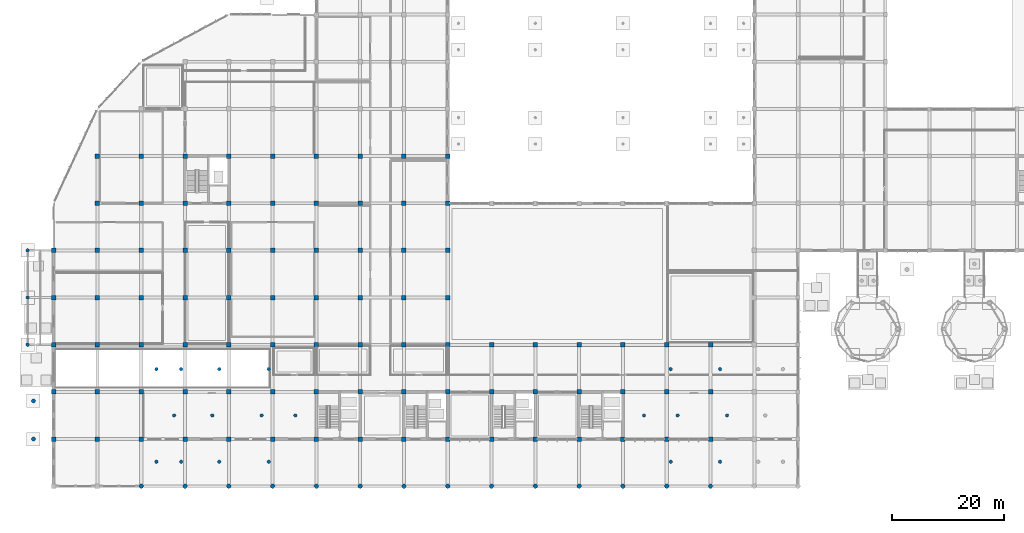
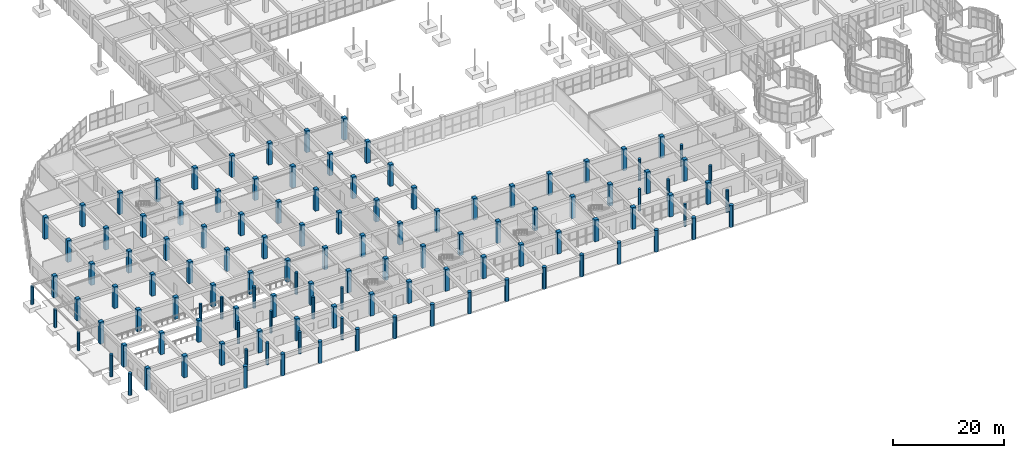
# One storey, part 2 of 139: 124 columns.
"""IFC4 building model written with IfcOpenShell, lengths in metres."""

import ifcopenshell
import ifcopenshell.guid

model = None  # the IFC model being written
_history = None  # IfcOwnerHistory: only IFC2X3 demands one
_inside = {}  # id of a spatial element -> (the spatial element, [elements in it])
_under = {}  # id of a project, library or spatial element -> (it, [spatial elements below it])
_declared = {}  # id of a project -> (the project, [libraries it declares])
_typed = {}  # id of a type object -> (the type object, [elements of that type])
_made_of = {}  # id of a material, layer set ... -> (it, [elements and type objects made of it])


def new_model(schema):
    """Start an empty IFC model of exactly this schema.

    Asked for "IFC4X3", IfcOpenShell would pick the latest addendum, in which some entities
    have other attributes; the version numbers below select the first issue.
    IFC2X3 requires an IfcOwnerHistory on every rooted entity: one is made here for all.
    """
    global model, _history
    if schema == "IFC4X3":
        model = ifcopenshell.file(schema_version=(4, 3, 0, 0))
    else:
        model = ifcopenshell.file(schema=schema)
    _inside.clear()
    _under.clear()
    _declared.clear()
    _typed.clear()
    _made_of.clear()
    _history = None
    if model.schema == "IFC2X3":
        org = make("IfcOrganization", Name="unknown")
        user = make(
            "IfcPersonAndOrganization",
            ThePerson=make("IfcPerson", FamilyName="unknown"),
            TheOrganization=org,
        )
        app = make(
            "IfcApplication",
            ApplicationDeveloper=org,
            Version="unknown",
            ApplicationFullName="unknown",
            ApplicationIdentifier="unknown",
        )
        _history = make(
            "IfcOwnerHistory",
            OwningUser=user,
            OwningApplication=app,
            ChangeAction="ADDED",
            CreationDate=0,
        )
    return model


def make(cls, **values):
    """One entity of the class cls with the attributes given. An attribute that is None is left unset."""
    return model.create_entity(
        cls, **{name: value for name, value in values.items() if value is not None}
    )


def rooted(cls, **values):
    """An entity with a GlobalId (a new one), such as an element, a storey or a relation."""
    return make(cls, GlobalId=ifcopenshell.guid.new(), OwnerHistory=_history, **values)


def si_unit(unit_type, name, prefix=None):
    """IfcSIUnit, for example si_unit("LENGTHUNIT", "METRE", prefix="MILLI")."""
    return make("IfcSIUnit", UnitType=unit_type, Prefix=prefix, Name=name)


def assignment(units):
    """IfcUnitAssignment: the units of a project."""
    return None if units is None else make("IfcUnitAssignment", Units=units)


def point(xyz):
    """IfcCartesianPoint."""
    return None if xyz is None else make("IfcCartesianPoint", Coordinates=xyz)


def direction(xyz):
    """IfcDirection."""
    return None if xyz is None else make("IfcDirection", DirectionRatios=xyz)


def frame(location, z_axis=None, x_axis=None):
    """IfcAxis2Placement3D, a coordinate frame: its origin and axes. An axis left out is left unset."""
    return make(
        "IfcAxis2Placement3D",
        Location=point(location),
        Axis=direction(z_axis),
        RefDirection=direction(x_axis),
    )


def frame_2d(location, x_axis=None):
    """IfcAxis2Placement2D, a coordinate frame in the plane: its origin and x axis."""
    return make(
        "IfcAxis2Placement2D", Location=point(location), RefDirection=direction(x_axis)
    )


def origin():
    """The frame at (0, 0, 0) with its axes left unset."""
    return frame((0.0, 0.0, 0.0))


def origin_2d():
    """The frame at (0, 0) in the plane with its x axis left unset."""
    return frame_2d((0.0, 0.0))


def place(relative_to, where):
    """IfcLocalPlacement: puts the frame where relative to a parent placement (None: the world)."""
    return make(
        "IfcLocalPlacement", PlacementRelTo=relative_to, RelativePlacement=where
    )


def context(
    kind, dimensions, precision=None, world=None, true_north=None, identifier=None
):
    """IfcGeometricRepresentationContext, for example the 3D "Model" context."""
    return make(
        "IfcGeometricRepresentationContext",
        ContextIdentifier=identifier,
        ContextType=kind,
        CoordinateSpaceDimension=dimensions,
        Precision=precision,
        WorldCoordinateSystem=world,
        TrueNorth=true_north,
    )


def subcontext(parent, identifier, kind, view, scale=None):
    """IfcGeometricRepresentationSubContext, for example "Body" below "Model"."""
    return make(
        "IfcGeometricRepresentationSubContext",
        ContextIdentifier=identifier,
        ContextType=kind,
        ParentContext=parent,
        TargetScale=scale,
        TargetView=view,
    )


def project(units=None, contexts=None):
    """IfcProject with its units and contexts."""
    return rooted(
        "IfcProject",
        Name="project",
        RepresentationContexts=contexts,
        UnitsInContext=assignment(units),
    )


def spatial(cls, under=None, at=None, **own):
    """A site, building, storey or space (cls), placed at a placement, below another one or the project."""
    s = rooted(cls, ObjectPlacement=at, **own)
    if under is not None:
        _under.setdefault(under.id(), (under, []))[1].append(s)
    return s


def profile(cls, at=None, kind="AREA", **sizes):
    """A parametric profile (cls). Its sizes go by their IFC names, for example OverallWidth=200.0."""
    return make(cls, ProfileType=kind, Position=at, **sizes)


def rectangle(**sizes):
    """IfcRectangleProfileDef."""
    return profile("IfcRectangleProfileDef", **sizes)


def circle(**sizes):
    """IfcCircleProfileDef."""
    return profile("IfcCircleProfileDef", **sizes)


def extrude(swept, where, along, depth):
    """IfcExtrudedAreaSolid: the profile swept, set in the frame where, extruded along a direction by depth."""
    return make(
        "IfcExtrudedAreaSolid",
        SweptArea=swept,
        Position=where,
        ExtrudedDirection=direction(along),
        Depth=depth,
    )


def shape(context_of_items, identifier, shape_type, items):
    """IfcShapeRepresentation: the items that make up one representation, for example the "Body"."""
    return make(
        "IfcShapeRepresentation",
        ContextOfItems=context_of_items,
        RepresentationIdentifier=identifier,
        RepresentationType=shape_type,
        Items=items,
    )


def material(Name=None, Category=None):
    """IfcMaterial."""
    return make("IfcMaterial", Name=Name, Category=Category)


def material_profile(
    of_material, cross_section, Name=None, Category=None, Priority=None
):
    """IfcMaterialProfile: a cross section and its material."""
    return make(
        "IfcMaterialProfile",
        Name=Name,
        Material=of_material,
        Profile=cross_section,
        Priority=Priority,
        Category=Category,
    )


def profile_set(profiles, Name=None, composite=None):
    """IfcMaterialProfileSet."""
    return make(
        "IfcMaterialProfileSet",
        Name=Name,
        MaterialProfiles=profiles,
        CompositeProfile=composite,
    )


def made_of(thing, what):
    """Note that an element or type object is made of a material, layer set ...; save() writes the relation."""
    if what is not None:
        _made_of.setdefault(what.id(), (what, []))[1].append(thing)
    return thing


def type_object(cls, material=None, **own):
    """A type object (cls), such as IfcWallType, which elements share."""
    return made_of(rooted(cls, **own), material)


def element(
    cls,
    number,
    at=None,
    inside=None,
    cuts=None,
    type_object=None,
    material=None,
    context=None,
    identifier="Body",
    shape_type=None,
    held_by="IfcProductDefinitionShape",
    body=None,
    shapes=None,
    **own,
):
    """One element of the class cls, such as IfcWall. Its Tag is "e" and its number.

    at: its placement. inside: the storey or other place that contains it. cuts: it is an
    opening in that element (IfcRelVoidsElement). A single representation is given by context,
    identifier, shape_type and body (its items); several are given by shapes. held_by: the class
    of the entity that holds the representations. save() writes the other relations.
    """
    e = rooted(cls, Tag="e%d" % number, ObjectPlacement=at, **own)
    if body is not None:
        shapes = [shape(context, identifier, shape_type, body)]
    if shapes is not None:
        e.Representation = make(held_by, Representations=shapes)
    if inside is not None:
        _inside.setdefault(inside.id(), (inside, []))[1].append(e)
    if cuts is not None:
        rooted(
            "IfcRelVoidsElement", RelatingBuildingElement=cuts, RelatedOpeningElement=e
        )
    if type_object is not None:
        _typed.setdefault(type_object.id(), (type_object, []))[1].append(e)
    return made_of(e, material)


def aggregate(whole, parts):
    """IfcRelAggregates: a whole, such as a stair, and the parts it consists of."""
    return rooted("IfcRelAggregates", RelatingObject=whole, RelatedObjects=parts)


def save(model, path):
    """Write the relations noted so far, then the file.

    IfcRelAggregates (storeys below a building ...), IfcRelContainedInSpatialStructure (elements
    in a storey), IfcRelDefinesByType, IfcRelAssociatesMaterial and IfcRelDeclares: one each for
    every whole, place, type object, material and project.
    """
    for whole, parts in _under.values():
        aggregate(whole, parts)
    for where, things in _inside.values():
        rooted(
            "IfcRelContainedInSpatialStructure",
            RelatedElements=things,
            RelatingStructure=where,
        )
    for kind, things in _typed.values():
        rooted("IfcRelDefinesByType", RelatedObjects=things, RelatingType=kind)
    for what, things in _made_of.values():
        rooted("IfcRelAssociatesMaterial", RelatedObjects=things, RelatingMaterial=what)
    for by, libraries in _declared.values():
        rooted("IfcRelDeclares", RelatingContext=by, RelatedDefinitions=libraries)
    model.write(path)


model = new_model("IFC4")

# Units and contexts
model_context = context("Model", 3, precision=1e-05, world=origin(), true_north=direction((0.0, 1.0)))
body_context = subcontext(model_context, "Body", "Model", "MODEL_VIEW")
ifc_project = project(units=[si_unit("LENGTHUNIT", "METRE"), si_unit("AREAUNIT", "SQUARE_METRE"), si_unit("VOLUMEUNIT", "CUBIC_METRE"), si_unit("PLANEANGLEUNIT", "RADIAN"), si_unit("MASSUNIT", "GRAM", prefix="KILO")], contexts=[model_context])

# Site, building, storey
site_placement = place(None, origin())
site = spatial("IfcSite", under=ifc_project, at=site_placement, CompositionType="ELEMENT")
building_placement = place(site_placement, origin())
building = spatial("IfcBuilding", under=site, at=building_placement, Name="Zizhar Promenade General Hospital", CompositionType="ELEMENT")
storey_placement = place(building_placement, origin())
storey = spatial("IfcBuildingStorey", under=building, at=storey_placement, Name="L00", CompositionType="ELEMENT", Elevation=0.0)

# Columns
ifc_material_1 = material(Name="Concrete C40/50", Category="concrete")
ifc_material_profile_1 = material_profile(ifc_material_1, circle(Radius=0.300048828125, at=origin_2d()))
ifc_profile_set_1 = profile_set([ifc_material_profile_1], Name="Concrete C40/50")
column_type_1 = type_object("IfcColumnType", Name="COL-CIRC-600", PredefinedType="PILASTER", material=ifc_profile_set_1)
for number, where, z_axis, x_axis, name in (
    (1, (-4.64990234375, 25.199951171875, 0.0), (0.0, 0.0, 1.0), (1.0, 0.0, 0.0), "Ambulance Canopy Tip Column 1"),
    (2, (-4.64990234375, 33.60009765625, 0.0), (0.0, 0.0, 1.0), (1.0, 0.0, 0.0), "Ambulance Canopy Tip Column 2"),
    (3, (-4.64990234375, 42.0, 0.0), (0.0, 0.0, 1.0), (1.0, 0.0, 0.0), "Ambulance Canopy Tip Column 3"),
):
    element("IfcColumn", number, at=place(storey_placement, frame(where, z_axis=z_axis, x_axis=x_axis)), inside=storey, type_object=column_type_1, Name=name, PredefinedType="PILASTER", context=body_context, shape_type="SweptSolid", body=[
        extrude(circle(Radius=0.300048828125, at=origin_2d()), origin(), (0.0, 0.0, 1.0), 3.969970703125),
    ])
for number, where, z_axis, x_axis, name in (
    (4, (18.300048828125, 4.35009765625, 0.0), (0.0, 0.0, 1.0), (1.0, 0.0, 0.0), "Ward Terrace Interior Support Column L06-W0 (L00)"),
    (5, (18.300048828125, 20.85009765625, 0.0), (0.0, 0.0, 1.0), (1.0, 0.0, 0.0), "Ward Terrace Interior Support Column L06-W1 (L00)"),
    (6, (21.449951171875, 12.60009765625, 0.0), (0.0, 0.0, 1.0), (1.0, 0.0, 0.0), "Ward Terrace Interior Support Column L06-W2 (L00)"),
    (7, (22.699951171875, 4.35009765625, 0.0), (0.0, 0.0, 1.0), (1.0, 0.0, 0.0), "Ward Terrace Interior Support Column L07-W0 (L00)"),
    (8, (22.699951171875, 20.85009765625, 0.0), (0.0, 0.0, 1.0), (1.0, 0.0, 0.0), "Ward Terrace Interior Support Column L07-W1 (L00)"),
    (9, (28.25, 12.60009765625, 0.0), (0.0, 0.0, 1.0), (1.0, 0.0, 0.0), "Ward Terrace Interior Support Column L07-W2 (L00)"),
    (10, (119.949951171875, 12.60009765625, 0.0), (0.0, 0.0, 1.0), (1.0, 0.0, 0.0), "Ward Terrace Interior Support Column L07-E2 (L00)"),
    (11, (29.5, 4.35009765625, 0.0), (0.0, 0.0, 1.0), (1.0, 0.0, 0.0), "Ward Terrace Interior Support Column L08-W0 (L00)"),
    (12, (29.5, 20.85009765625, 0.0), (0.0, 0.0, 1.0), (1.0, 0.0, 0.0), "Ward Terrace Interior Support Column L08-W1 (L00)"),
    (13, (37.050048828125, 12.60009765625, 0.0), (0.0, 0.0, 1.0), (1.0, 0.0, 0.0), "Ward Terrace Interior Support Column L08-W2 (L00)"),
    (14, (118.699951171875, 4.35009765625, 0.0), (0.0, 0.0, 1.0), (1.0, 0.0, 0.0), "Ward Terrace Interior Support Column L08-E0 (L00)"),
    (15, (118.699951171875, 20.85009765625, 0.0), (0.0, 0.0, 1.0), (1.0, 0.0, 0.0), "Ward Terrace Interior Support Column L08-E1 (L00)"),
    (16, (111.14990234375, 12.60009765625, 0.0), (0.0, 0.0, 1.0), (1.0, 0.0, 0.0), "Ward Terrace Interior Support Column L08-E2 (L00)"),
    (17, (38.300048828125, 4.35009765625, 0.0), (0.0, 0.0, 1.0), (1.0, 0.0, 0.0), "Ward Terrace Interior Support Column L09-W0 (L00)"),
    (18, (38.300048828125, 20.85009765625, 0.0), (0.0, 0.0, 1.0), (1.0, 0.0, 0.0), "Ward Terrace Interior Support Column L09-W1 (L00)"),
    (19, (43.050048828125, 12.60009765625, 0.0), (0.0, 0.0, 1.0), (1.0, 0.0, 0.0), "Ward Terrace Interior Support Column L09-W2 (L00)"),
    (20, (109.89990234375, 4.35009765625, 0.0), (0.0, 0.0, 1.0), (1.0, 0.0, 0.0), "Ward Terrace Interior Support Column L09-E0 (L00)"),
    (21, (109.89990234375, 20.85009765625, 0.0), (0.0, 0.0, 1.0), (1.0, 0.0, 0.0), "Ward Terrace Interior Support Column L09-E1 (L00)"),
    (22, (105.14990234375, 12.60009765625, 0.0), (0.0, 0.0, 1.0), (1.0, 0.0, 0.0), "Ward Terrace Interior Support Column L09-E2 (L00)"),
):
    element("IfcColumn", number, at=place(storey_placement, frame(where, z_axis=z_axis, x_axis=x_axis)), inside=storey, type_object=column_type_1, Name=name, PredefinedType="PILASTER", context=body_context, shape_type="SweptSolid", body=[
        extrude(circle(Radius=0.300048828125, at=origin_2d()), origin(), (0.0, 0.0, 1.0), 4.800048828125),
    ])
ifc_material_2 = material(Name="Concrete C40/50", Category="concrete")
ifc_material_profile_2 = material_profile(ifc_material_2, circle(Radius=0.35009765625, at=origin_2d()))
ifc_profile_set_2 = profile_set([ifc_material_profile_2], Name="Concrete C40/50")
column_type_2 = type_object("IfcColumnType", Name="COL-CIRC-700", PredefinedType="PILASTER", material=ifc_profile_set_2)
for number, where, z_axis, x_axis, name in (
    (23, (-3.60009765625, 8.39990234375, 0.0), (0.0, 0.0, 1.0), (1.0, 0.0, 0.0), "Base Roof Colonnade Column 01 (L00)"),
    (24, (-3.60009765625, 15.199951171875, 0.0), (0.0, 0.0, 1.0), (1.0, 0.0, 0.0), "Base Roof Colonnade Column 02 (L00)"),
):
    element("IfcColumn", number, at=place(storey_placement, frame(where, z_axis=z_axis, x_axis=x_axis)), inside=storey, type_object=column_type_2, Name=name, PredefinedType="PILASTER", context=body_context, shape_type="SweptSolid", body=[
        extrude(circle(Radius=0.35009765625, at=origin_2d()), origin(), (0.0, 0.0, 1.0), 4.800048828125),
    ])
ifc_material_3 = material(Name="Concrete C40/50", Category="concrete")
ifc_material_profile_3 = material_profile(ifc_material_3, circle(Radius=0.39990234375, at=origin_2d()))
ifc_profile_set_3 = profile_set([ifc_material_profile_3], Name="Concrete C40/50")
column_type_3 = type_object("IfcColumnType", Name="COL-CIRC-800", PredefinedType="PILASTER", material=ifc_profile_set_3)
for number, where, z_axis, x_axis, name in (
    (25, (15.60009765625, 0.0, 0.0), (0.0, 0.0, 1.0), (1.0, 0.0, 0.0), "Column 3-A (L00)"),
    (26, (23.39990234375, 0.0, 0.0), (0.0, 0.0, 1.0), (1.0, 0.0, 0.0), "Column 4-A (L00)"),
    (27, (31.199951171875, 0.0, 0.0), (0.0, 0.0, 1.0), (1.0, 0.0, 0.0), "Column 5-A (L00)"),
    (28, (39.0, 0.0, 0.0), (0.0, 0.0, 1.0), (1.0, 0.0, 0.0), "Column 6-A (L00)"),
    (29, (46.800048828125, 0.0, 0.0), (0.0, 0.0, 1.0), (1.0, 0.0, 0.0), "Column 7-A (L00)"),
    (30, (54.60009765625, 0.0, 0.0), (0.0, 0.0, 1.0), (1.0, 0.0, 0.0), "Column 8-A (L00)"),
    (31, (62.39990234375, 0.0, 0.0), (0.0, 0.0, 1.0), (1.0, 0.0, 0.0), "Column 9-A (L00)"),
    (32, (70.199951171875, 0.0, 0.0), (0.0, 0.0, 1.0), (1.0, 0.0, 0.0), "Column 10-A (L00)"),
    (33, (78.0, 0.0, 0.0), (0.0, 0.0, 1.0), (1.0, 0.0, 0.0), "Column 11-A (L00)"),
    (34, (85.800048828125, 0.0, 0.0), (0.0, 0.0, 1.0), (1.0, 0.0, 0.0), "Column 12-A (L00)"),
    (35, (93.60009765625, 0.0, 0.0), (0.0, 0.0, 1.0), (1.0, 0.0, 0.0), "Column 13-A (L00)"),
    (36, (101.39990234375, 0.0, 0.0), (0.0, 0.0, 1.0), (1.0, 0.0, 0.0), "Column 14-A (L00)"),
    (37, (109.199951171875, 0.0, 0.0), (0.0, 0.0, 1.0), (1.0, 0.0, 0.0), "Column 15-A (L00)"),
    (38, (117.0, 0.0, 0.0), (0.0, 0.0, 1.0), (1.0, 0.0, 0.0), "Column 16-A (L00)"),
):
    element("IfcColumn", number, at=place(storey_placement, frame(where, z_axis=z_axis, x_axis=x_axis)), inside=storey, type_object=column_type_3, Name=name, PredefinedType="PILASTER", context=body_context, shape_type="SweptSolid", body=[
        extrude(circle(Radius=0.39990234375, at=origin_2d()), origin(), (0.0, 0.0, 1.0), 4.800048828125),
    ])
ifc_material_4 = material(Name="Concrete C40/50", Category="concrete")
ifc_material_profile_4 = material_profile(ifc_material_4, rectangle(XDim=0.800048828125, YDim=0.800048828125, at=origin_2d()))
ifc_profile_set_4 = profile_set([ifc_material_profile_4], Name="Concrete C40/50")
column_type_4 = type_object("IfcColumnType", Name="COL-RC-800", PredefinedType="COLUMN", material=ifc_profile_set_4)
for number, where, z_axis, x_axis, name in (
    (39, (0.0, 8.39990234375, 0.0), (0.0, 0.0, 1.0), (1.0, 0.0, 0.0), "Column 1-B (L00)"),
    (40, (0.0, 16.800048828125, 0.0), (0.0, 0.0, 1.0), (1.0, 0.0, 0.0), "Column 1-C (L00)"),
    (41, (0.0, 25.199951171875, 0.0), (0.0, 0.0, 1.0), (1.0, 0.0, 0.0), "Column 1-D (L00)"),
    (42, (0.0, 33.60009765625, 0.0), (0.0, 0.0, 1.0), (1.0, 0.0, 0.0), "Column 1-E (L00)"),
    (43, (0.0, 42.0, 0.0), (0.0, 0.0, 1.0), (1.0, 0.0, 0.0), "Column 1-F (L00)"),
    (44, (7.800048828125, 8.39990234375, 0.0), (0.0, 0.0, 1.0), (1.0, 0.0, 0.0), "Column 2-B (L00)"),
    (45, (7.800048828125, 16.800048828125, 0.0), (0.0, 0.0, 1.0), (1.0, 0.0, 0.0), "Column 2-C (L00)"),
    (46, (7.800048828125, 25.199951171875, 0.0), (0.0, 0.0, 1.0), (1.0, 0.0, 0.0), "Column 2-D (L00)"),
    (47, (7.800048828125, 33.60009765625, 0.0), (0.0, 0.0, 1.0), (1.0, 0.0, 0.0), "Column 2-E (L00)"),
    (48, (7.800048828125, 42.0, 0.0), (0.0, 0.0, 1.0), (1.0, 0.0, 0.0), "Column 2-F (L00)"),
    (49, (7.800048828125, 50.39990234375, 0.0), (0.0, 0.0, 1.0), (1.0, 0.0, 0.0), "Column 2-G (L00)"),
    (50, (7.800048828125, 58.800048828125, 0.0), (0.0, 0.0, 1.0), (1.0, 0.0, 0.0), "Column 2-H (L00)"),
    (51, (15.60009765625, 8.39990234375, 0.0), (0.0, 0.0, 1.0), (1.0, 0.0, 0.0), "Column 3-B (L00)"),
    (52, (15.60009765625, 16.800048828125, 0.0), (0.0, 0.0, 1.0), (1.0, 0.0, 0.0), "Column 3-C (L00)"),
    (53, (15.60009765625, 25.199951171875, 0.0), (0.0, 0.0, 1.0), (1.0, 0.0, 0.0), "Column 3-D (L00)"),
    (54, (15.60009765625, 33.60009765625, 0.0), (0.0, 0.0, 1.0), (1.0, 0.0, 0.0), "Column 3-E (L00)"),
    (55, (15.60009765625, 42.0, 0.0), (0.0, 0.0, 1.0), (1.0, 0.0, 0.0), "Column 3-F (L00)"),
    (56, (15.60009765625, 50.39990234375, 0.0), (0.0, 0.0, 1.0), (1.0, 0.0, 0.0), "Column 3-G (L00)"),
    (57, (15.60009765625, 58.800048828125, 0.0), (0.0, 0.0, 1.0), (1.0, 0.0, 0.0), "Column 3-H (L00)"),
    (58, (23.39990234375, 8.39990234375, 0.0), (0.0, 0.0, 1.0), (1.0, 0.0, 0.0), "Column 4-B (L00)"),
    (59, (23.39990234375, 16.800048828125, 0.0), (0.0, 0.0, 1.0), (1.0, 0.0, 0.0), "Column 4-C (L00)"),
    (60, (23.39990234375, 25.199951171875, 0.0), (0.0, 0.0, 1.0), (1.0, 0.0, 0.0), "Column 4-D (L00)"),
    (61, (23.39990234375, 33.60009765625, 0.0), (0.0, 0.0, 1.0), (1.0, 0.0, 0.0), "Column 4-E (L00)"),
    (62, (23.39990234375, 42.0, 0.0), (0.0, 0.0, 1.0), (1.0, 0.0, 0.0), "Column 4-F (L00)"),
    (63, (23.39990234375, 50.39990234375, 0.0), (0.0, 0.0, 1.0), (1.0, 0.0, 0.0), "Column 4-G (L00)"),
    (64, (23.39990234375, 58.800048828125, 0.0), (0.0, 0.0, 1.0), (1.0, 0.0, 0.0), "Column 4-H (L00)"),
    (65, (31.199951171875, 8.39990234375, 0.0), (0.0, 0.0, 1.0), (1.0, 0.0, 0.0), "Column 5-B (L00)"),
    (66, (31.199951171875, 16.800048828125, 0.0), (0.0, 0.0, 1.0), (1.0, 0.0, 0.0), "Column 5-C (L00)"),
    (67, (31.199951171875, 25.199951171875, 0.0), (0.0, 0.0, 1.0), (1.0, 0.0, 0.0), "Column 5-D (L00)"),
    (68, (31.199951171875, 33.60009765625, 0.0), (0.0, 0.0, 1.0), (1.0, 0.0, 0.0), "Column 5-E (L00)"),
    (69, (31.199951171875, 42.0, 0.0), (0.0, 0.0, 1.0), (1.0, 0.0, 0.0), "Column 5-F (L00)"),
    (70, (31.199951171875, 50.39990234375, 0.0), (0.0, 0.0, 1.0), (1.0, 0.0, 0.0), "Column 5-G (L00)"),
    (71, (31.199951171875, 58.800048828125, 0.0), (0.0, 0.0, 1.0), (1.0, 0.0, 0.0), "Column 5-H (L00)"),
    (72, (39.0, 8.39990234375, 0.0), (0.0, 0.0, 1.0), (1.0, 0.0, 0.0), "Column 6-B (L00)"),
    (73, (39.0, 16.800048828125, 0.0), (0.0, 0.0, 1.0), (1.0, 0.0, 0.0), "Column 6-C (L00)"),
    (74, (39.0, 25.199951171875, 0.0), (0.0, 0.0, 1.0), (1.0, 0.0, 0.0), "Column 6-D (L00)"),
    (75, (39.0, 33.60009765625, 0.0), (0.0, 0.0, 1.0), (1.0, 0.0, 0.0), "Column 6-E (L00)"),
    (76, (39.0, 42.0, 0.0), (0.0, 0.0, 1.0), (1.0, 0.0, 0.0), "Column 6-F (L00)"),
    (77, (39.0, 50.39990234375, 0.0), (0.0, 0.0, 1.0), (1.0, 0.0, 0.0), "Column 6-G (L00)"),
    (78, (39.0, 58.800048828125, 0.0), (0.0, 0.0, 1.0), (1.0, 0.0, 0.0), "Column 6-H (L00)"),
    (79, (46.800048828125, 8.39990234375, 0.0), (0.0, 0.0, 1.0), (1.0, 0.0, 0.0), "Column 7-B (L00)"),
    (80, (46.800048828125, 16.800048828125, 0.0), (0.0, 0.0, 1.0), (1.0, 0.0, 0.0), "Column 7-C (L00)"),
    (81, (46.800048828125, 25.199951171875, 0.0), (0.0, 0.0, 1.0), (1.0, 0.0, 0.0), "Column 7-D (L00)"),
    (82, (46.800048828125, 33.60009765625, 0.0), (0.0, 0.0, 1.0), (1.0, 0.0, 0.0), "Column 7-E (L00)"),
    (83, (46.800048828125, 42.0, 0.0), (0.0, 0.0, 1.0), (1.0, 0.0, 0.0), "Column 7-F (L00)"),
    (84, (46.800048828125, 50.39990234375, 0.0), (0.0, 0.0, 1.0), (1.0, 0.0, 0.0), "Column 7-G (L00)"),
    (85, (46.800048828125, 58.800048828125, 0.0), (0.0, 0.0, 1.0), (1.0, 0.0, 0.0), "Column 7-H (L00)"),
    (86, (54.60009765625, 8.39990234375, 0.0), (0.0, 0.0, 1.0), (1.0, 0.0, 0.0), "Column 8-B (L00)"),
    (87, (54.60009765625, 16.800048828125, 0.0), (0.0, 0.0, 1.0), (1.0, 0.0, 0.0), "Column 8-C (L00)"),
    (88, (54.60009765625, 25.199951171875, 0.0), (0.0, 0.0, 1.0), (1.0, 0.0, 0.0), "Column 8-D (L00)"),
    (89, (54.60009765625, 33.60009765625, 0.0), (0.0, 0.0, 1.0), (1.0, 0.0, 0.0), "Column 8-E (L00)"),
    (90, (54.60009765625, 42.0, 0.0), (0.0, 0.0, 1.0), (1.0, 0.0, 0.0), "Column 8-F (L00)"),
    (91, (54.60009765625, 50.39990234375, 0.0), (0.0, 0.0, 1.0), (1.0, 0.0, 0.0), "Column 8-G (L00)"),
    (92, (54.60009765625, 58.800048828125, 0.0), (0.0, 0.0, 1.0), (1.0, 0.0, 0.0), "Column 8-H (L00)"),
    (93, (62.39990234375, 8.39990234375, 0.0), (0.0, 0.0, 1.0), (1.0, 0.0, 0.0), "Column 9-B (L00)"),
    (94, (62.39990234375, 16.800048828125, 0.0), (0.0, 0.0, 1.0), (1.0, 0.0, 0.0), "Column 9-C (L00)"),
    (95, (62.39990234375, 25.199951171875, 0.0), (0.0, 0.0, 1.0), (1.0, 0.0, 0.0), "Column 9-D (L00)"),
    (96, (62.39990234375, 33.60009765625, 0.0), (0.0, 0.0, 1.0), (1.0, 0.0, 0.0), "Column 9-E (L00)"),
    (97, (62.39990234375, 42.0, 0.0), (0.0, 0.0, 1.0), (1.0, 0.0, 0.0), "Column 9-F (L00)"),
    (98, (62.39990234375, 50.39990234375, 0.0), (0.0, 0.0, 1.0), (1.0, 0.0, 0.0), "Column 9-G (L00)"),
    (99, (62.39990234375, 58.800048828125, 0.0), (0.0, 0.0, 1.0), (1.0, 0.0, 0.0), "Column 9-H (L00)"),
    (100, (70.199951171875, 8.39990234375, 0.0), (0.0, 0.0, 1.0), (1.0, 0.0, 0.0), "Column 10-B (L00)"),
    (101, (70.199951171875, 16.800048828125, 0.0), (0.0, 0.0, 1.0), (1.0, 0.0, 0.0), "Column 10-C (L00)"),
    (102, (70.199951171875, 25.199951171875, 0.0), (0.0, 0.0, 1.0), (1.0, 0.0, 0.0), "Column 10-D (L00)"),
    (103, (70.199951171875, 33.60009765625, 0.0), (0.0, 0.0, 1.0), (1.0, 0.0, 0.0), "Column 10-E (L00)"),
    (104, (70.199951171875, 42.0, 0.0), (0.0, 0.0, 1.0), (1.0, 0.0, 0.0), "Column 10-F (L00)"),
    (105, (70.199951171875, 50.39990234375, 0.0), (0.0, 0.0, 1.0), (1.0, 0.0, 0.0), "Column 10-G (L00)"),
    (106, (70.199951171875, 58.800048828125, 0.0), (0.0, 0.0, 1.0), (1.0, 0.0, 0.0), "Column 10-H (L00)"),
    (107, (78.0, 8.39990234375, 0.0), (0.0, 0.0, 1.0), (1.0, 0.0, 0.0), "Column 11-B (L00)"),
    (108, (78.0, 16.800048828125, 0.0), (0.0, 0.0, 1.0), (1.0, 0.0, 0.0), "Column 11-C (L00)"),
    (109, (78.0, 25.199951171875, 0.0), (0.0, 0.0, 1.0), (1.0, 0.0, 0.0), "Column 11-D (L00)"),
    (110, (85.800048828125, 8.39990234375, 0.0), (0.0, 0.0, 1.0), (1.0, 0.0, 0.0), "Column 12-B (L00)"),
    (111, (85.800048828125, 16.800048828125, 0.0), (0.0, 0.0, 1.0), (1.0, 0.0, 0.0), "Column 12-C (L00)"),
    (112, (85.800048828125, 25.199951171875, 0.0), (0.0, 0.0, 1.0), (1.0, 0.0, 0.0), "Column 12-D (L00)"),
    (113, (93.60009765625, 8.39990234375, 0.0), (0.0, 0.0, 1.0), (1.0, 0.0, 0.0), "Column 13-B (L00)"),
    (114, (93.60009765625, 16.800048828125, 0.0), (0.0, 0.0, 1.0), (1.0, 0.0, 0.0), "Column 13-C (L00)"),
    (115, (93.60009765625, 25.199951171875, 0.0), (0.0, 0.0, 1.0), (1.0, 0.0, 0.0), "Column 13-D (L00)"),
    (116, (101.39990234375, 8.39990234375, 0.0), (0.0, 0.0, 1.0), (1.0, 0.0, 0.0), "Column 14-B (L00)"),
    (117, (101.39990234375, 16.800048828125, 0.0), (0.0, 0.0, 1.0), (1.0, 0.0, 0.0), "Column 14-C (L00)"),
    (118, (101.39990234375, 25.199951171875, 0.0), (0.0, 0.0, 1.0), (1.0, 0.0, 0.0), "Column 14-D (L00)"),
    (119, (109.199951171875, 8.39990234375, 0.0), (0.0, 0.0, 1.0), (1.0, 0.0, 0.0), "Column 15-B (L00)"),
    (120, (109.199951171875, 16.800048828125, 0.0), (0.0, 0.0, 1.0), (1.0, 0.0, 0.0), "Column 15-C (L00)"),
    (121, (109.199951171875, 25.199951171875, 0.0), (0.0, 0.0, 1.0), (1.0, 0.0, 0.0), "Column 15-D (L00)"),
    (122, (117.0, 8.39990234375, 0.0), (0.0, 0.0, 1.0), (1.0, 0.0, 0.0), "Column 16-B (L00)"),
    (123, (117.0, 16.800048828125, 0.0), (0.0, 0.0, 1.0), (1.0, 0.0, 0.0), "Column 16-C (L00)"),
    (124, (117.0, 25.199951171875, 0.0), (0.0, 0.0, 1.0), (1.0, 0.0, 0.0), "Column 16-D (L00)"),
):
    element("IfcColumn", number, at=place(storey_placement, frame(where, z_axis=z_axis, x_axis=x_axis)), inside=storey, type_object=column_type_4, Name=name, PredefinedType="COLUMN", context=body_context, shape_type="SweptSolid", body=[
        extrude(rectangle(XDim=0.800048828125, YDim=0.800048828125, at=origin_2d()), origin(), (0.0, 0.0, 1.0), 4.800048828125),
    ])

save(model, "model.ifc")
